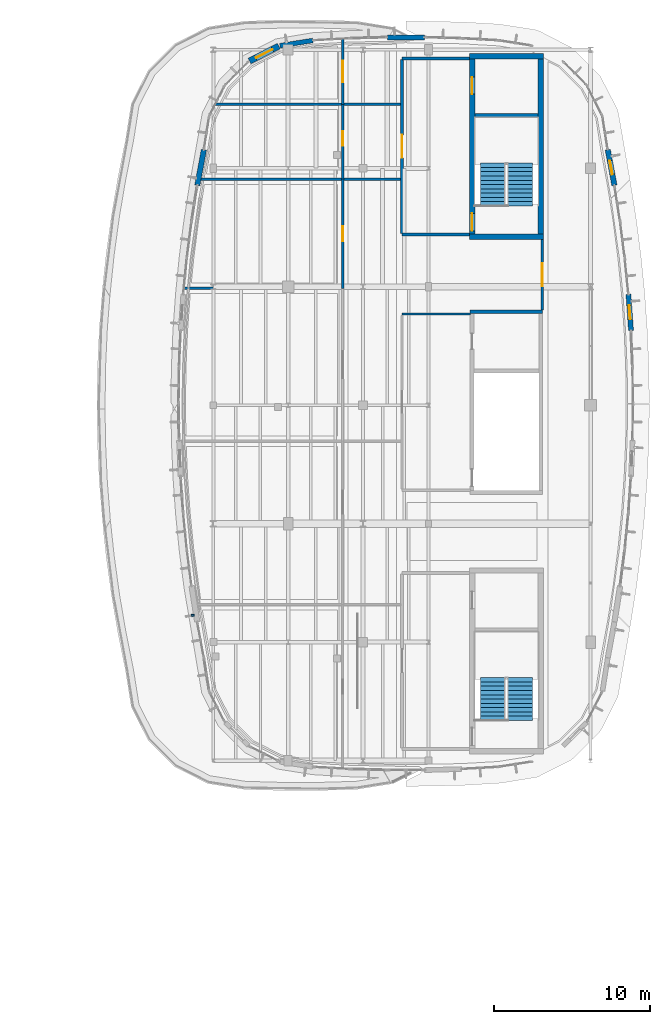
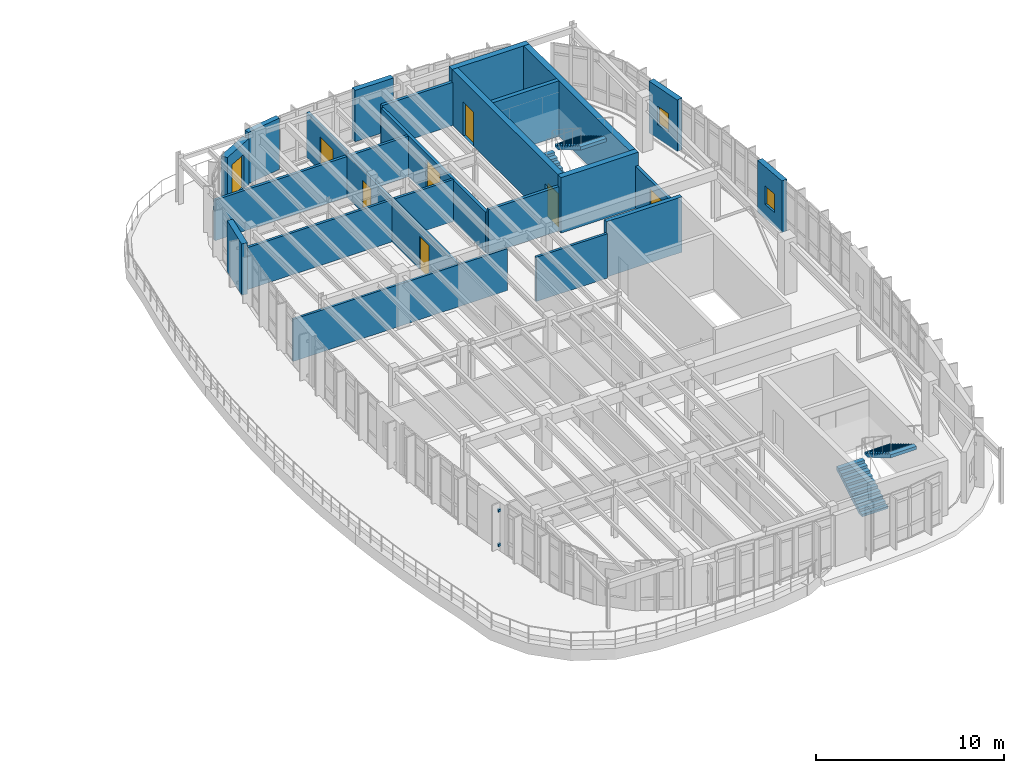
# One storey, part 24 of 30: 23 walls, 8 doors, 4 stair flights, 2 discrete accessories, 2 windows, 10 openings, 2 elements without a shape of their own.
"""IFC4 building model written with IfcOpenShell, lengths in metres."""

from ifc_helpers import new_model, si_unit, direction, frame, frame_2d, origin, origin_2d, place, context, subcontext, project, spatial, polyline, rectangle, outline, extrude, material, layer, layer_set, type_object, element, fill, aggregate, save


model = new_model("IFC4")

# Units and contexts
model_context = context("Model", 3, precision=1e-05, world=origin(), true_north=direction((0.0, 1.0)))
body_context = subcontext(model_context, "Body", "Model", "MODEL_VIEW")
ifc_project = project(units=[si_unit("LENGTHUNIT", "METRE"), si_unit("AREAUNIT", "SQUARE_METRE"), si_unit("VOLUMEUNIT", "CUBIC_METRE"), si_unit("PLANEANGLEUNIT", "RADIAN"), si_unit("MASSUNIT", "GRAM", prefix="KILO")], contexts=[model_context])

# Site, building, storey
site_placement = place(None, origin())
site = spatial("IfcSite", under=ifc_project, at=site_placement, CompositionType="ELEMENT")
building_placement = place(site_placement, origin())
building = spatial("IfcBuilding", under=site, at=building_placement, Name="Corveleigh Park Community Centre", CompositionType="ELEMENT")
storey_placement = place(building_placement, frame((0.0, 0.0, 12.60009765625)))
storey = spatial("IfcBuildingStorey", under=building, at=storey_placement, Name="L03", CompositionType="ELEMENT", Elevation=12.60009765625)

# Wall
ifc_material_1 = material(Name="Precast concrete C40/50", Category="concrete")
ifc_layer_1 = layer(ifc_material_1, 0.300048828125, Name="Precast concrete C40/50", Category="concrete")
ifc_layer_set_1 = layer_set([ifc_layer_1], Name="Precast concrete C40/50")
wall_type_1 = type_object("IfcWallType", Name="WL-EXT-300", PredefinedType="STANDARD", material=ifc_layer_set_1)
wall_1_placement = place(storey_placement, frame((148.47509765625, 104.462890625, 0.0), z_axis=(0.0, 0.0, 1.0), x_axis=(0.987672873908, 0.156532086638, 0.0)))
element("IfcWall", 1, at=wall_1_placement, inside=storey, type_object=wall_type_1, Name="V4 L03 Precast Facade Wall", PredefinedType="STANDARD", context=body_context, shape_type="SweptSolid", body=[
    extrude(rectangle(XDim=2.13525390625, YDim=0.300048828125, at=frame_2d((1.067626953125, 0.0))), origin(), (0.0, 0.0, 1.0), 3.3369140625),
])

# Wall, opening, window
ifc_layer_2 = layer(ifc_material_1, 0.320068359375, Name="Precast concrete C40/50", Category="concrete")
ifc_layer_set_2 = layer_set([ifc_layer_2], Name="Precast concrete C40/50")
wall_type_2 = type_object("IfcWallType", Name="WL-EXT-320", PredefinedType="STANDARD", material=ifc_layer_set_2)
wall_2_placement = place(storey_placement, frame((170.826904296875, 88.513916015625, 0.0), z_axis=(0.0, 0.0, 1.0), x_axis=(0.070545752689, -0.997508544714, 0.0)))
wall_2 = element("IfcWall", 2, at=wall_2_placement, inside=storey, type_object=wall_type_2, Name="V4 L03 Precast Facade Wall", PredefinedType="STANDARD", context=body_context, shape_type="SweptSolid", body=[
    extrude(rectangle(XDim=2.32568359375, YDim=0.320068359375, at=frame_2d((1.162841796875, 0.0))), origin(), (0.0, 0.0, 1.0), 3.35693359375),
])
opening_1_placement = place(wall_2_placement, frame((0.712890625, 0.0, 0.89990234375)))
opening_1 = element("IfcOpeningElement", 3, at=opening_1_placement, cuts=wall_2, Name="Opening W01", PredefinedType="OPENING", context=body_context, shape_type="SweptSolid", body=[
    extrude(rectangle(XDim=0.89990234375, YDim=1.199951171875, at=frame_2d((0.449951171875, 0.60009765625))), frame((0.0, 0.169921875, 0.0), z_axis=(0.0, -1.0, 0.0), x_axis=(1.0, 0.0, 0.0)), (0.0, 0.0, 1.0), 0.340087890625),
])
ifc_material_2 = material(Name="Low-E double glazing", Category="glass")
window_type = type_object("IfcWindowType", Name="WIN-EXT-0900x1200", PartitioningType="SINGLE_PANEL", PredefinedType="WINDOW", material=ifc_material_2)
window_1_placement = place(opening_1_placement, origin())
window_1 = element("IfcWindow", 4, at=window_1_placement, inside=storey, type_object=window_type, Name="V4 L03 Window 72", OverallHeight=1.199951171875, OverallWidth=0.89990234375, PartitioningType="SINGLE_PANEL", PredefinedType="WINDOW", context=body_context, shape_type="SweptSolid", body=[
    extrude(rectangle(XDim=0.89990234375, YDim=1.199951171875, at=frame_2d((0.449951171875, 0.60009765625))), frame((0.0, 0.030029296875, 0.0), z_axis=(0.0, -1.0, 0.0), x_axis=(1.0, 0.0, 0.0)), (0.0, 0.0, 1.0), 0.06005859375),
])
fill(opening_1, window_1)

# Wall
wall_3_placement = place(storey_placement, frame((155.367919921875, 105.0029296875, 0.0), z_axis=(0.0, 0.0, 1.0), x_axis=(1.0, 0.0, 0.0)))
element("IfcWall", 5, at=wall_3_placement, inside=storey, type_object=wall_type_2, Name="V4 L03 Precast Facade Wall", PredefinedType="STANDARD", context=body_context, shape_type="SweptSolid", body=[
    extrude(rectangle(XDim=2.364013671875, YDim=0.320068359375, at=frame_2d((1.18212890625, 0.0))), origin(), (0.0, 0.0, 1.0), 3.3369140625),
])

# Wall, opening, window
ifc_layer_3 = layer(ifc_material_1, 0.340087890625, Name="Precast concrete C40/50", Category="concrete")
ifc_layer_set_3 = layer_set([ifc_layer_3], Name="Precast concrete C40/50")
wall_type_3 = type_object("IfcWallType", Name="WL-EXT-340", PredefinedType="STANDARD", material=ifc_layer_set_3)
wall_4_placement = place(storey_placement, frame((169.501953125, 97.791015625, 0.0), z_axis=(0.0, 0.0, 1.0), x_axis=(0.183198166271, -0.983076005136, 0.0)))
wall_4 = element("IfcWall", 6, at=wall_4_placement, inside=storey, type_object=wall_type_3, Name="V4 L03 Precast Facade Wall", PredefinedType="STANDARD", context=body_context, shape_type="SweptSolid", body=[
    extrude(rectangle(XDim=2.325439453125, YDim=0.340087890625, at=frame_2d((1.16259765625, 0.0))), origin(), (0.0, 0.0, 1.0), 3.35693359375),
])
opening_2_placement = place(wall_4_placement, frame((0.712890625, 0.0, 0.89990234375)))
opening_2 = element("IfcOpeningElement", 7, at=opening_2_placement, cuts=wall_4, Name="Opening W01", PredefinedType="OPENING", context=body_context, shape_type="SweptSolid", body=[
    extrude(rectangle(XDim=0.89990234375, YDim=1.199951171875, at=frame_2d((0.449951171875, 0.60009765625))), frame((0.0, 0.179931640625, 0.0), z_axis=(0.0, -1.0, 0.0), x_axis=(1.0, 0.0, 0.0)), (0.0, 0.0, 1.0), 0.360107421875),
])
window_2_placement = place(opening_2_placement, origin())
window_2 = element("IfcWindow", 8, at=window_2_placement, inside=storey, type_object=window_type, Name="V4 L03 Window 73", OverallHeight=1.199951171875, OverallWidth=0.89990234375, PartitioningType="SINGLE_PANEL", PredefinedType="WINDOW", context=body_context, shape_type="SweptSolid", body=[
    extrude(rectangle(XDim=0.89990234375, YDim=1.199951171875, at=frame_2d((0.449951171875, 0.60009765625))), frame((0.0, 0.030029296875, 0.0), z_axis=(0.0, -1.0, 0.0), x_axis=(1.0, 0.0, 0.0)), (0.0, 0.0, 1.0), 0.06005859375),
])
fill(opening_2, window_2)

# Wall
wall_5_placement = place(storey_placement, frame((143.172119140625, 95.5048828125, 0.0), z_axis=(0.0, 0.0, 1.0), x_axis=(0.183096702171, 0.983094907755, 0.0)))
element("IfcWall", 9, at=wall_5_placement, inside=storey, type_object=wall_type_3, Name="V4 L03 Precast Facade Wall", PredefinedType="STANDARD", context=body_context, shape_type="SweptSolid", body=[
    extrude(rectangle(XDim=2.325439453125, YDim=0.340087890625, at=frame_2d((1.16259765625, 0.0))), origin(), (0.0, 0.0, 1.0), 3.3369140625),
])

# Wall, opening, door
ifc_material_3 = material(Name="Concrete C40/50", Category="concrete")
ifc_layer_4 = layer(ifc_material_3, 0.39990234375, Name="Concrete C40/50", Category="concrete")
ifc_layer_set_4 = layer_set([ifc_layer_4], Name="Concrete C40/50")
wall_type_4 = type_object("IfcWallType", Name="WL-EXT-400", PredefinedType="STANDARD", material=ifc_layer_set_4)
wall_6_placement = place(storey_placement, frame((146.52001953125, 103.47998046875, 0.0), z_axis=(0.0, 0.0, 1.0), x_axis=(0.89091164553, 0.454176661509, 0.0)))
wall_6 = element("IfcWall", 10, at=wall_6_placement, inside=storey, type_object=wall_type_4, Name="V4 terrace wall", PredefinedType="STANDARD", context=body_context, shape_type="SweptSolid", body=[
    extrude(rectangle(XDim=2.113525390625, YDim=0.39990234375, at=frame_2d((1.056640625, 0.0))), origin(), (0.0, 0.0, 1.0), 2.969970703125),
])
opening_3_placement = place(wall_6_placement, frame((0.467041015625, 0.0, 0.0)))
opening_3 = element("IfcOpeningElement", 11, at=opening_3_placement, cuts=wall_6, Name="Opening ED02", PredefinedType="OPENING", context=body_context, shape_type="SweptSolid", body=[
    extrude(rectangle(XDim=1.179931640625, YDim=2.239990234375, at=frame_2d((0.58984375, 1.1201171875))), frame((0.0, 0.2099609375, 0.0), z_axis=(0.0, -1.0, 0.0), x_axis=(1.0, 0.0, 0.0)), (0.0, 0.0, 1.0), 0.419921875),
])
ifc_material_4 = material(Name="Powder-coated aluminium glazed door", Category="aluminium")
door_type_1 = type_object("IfcDoorType", Name="DR-EXT-1180x2240", OperationType="NOTDEFINED", PredefinedType="DOOR", material=ifc_material_4)
door_1_placement = place(opening_3_placement, origin())
door_1 = element("IfcDoor", 12, at=door_1_placement, inside=storey, type_object=door_type_1, Name="Step 3 Craft and Study Terrace access door", OperationType="SINGLE_SWING_RIGHT", OverallHeight=2.239990234375, OverallWidth=1.179931640625, PredefinedType="DOOR", context=body_context, shape_type="SweptSolid", body=[
    extrude(rectangle(XDim=1.179931640625, YDim=2.239990234375, at=frame_2d((0.58984375, 1.1201171875))), frame((0.0, 0.02490234375, 0.0), z_axis=(0.0, -1.0, 0.0), x_axis=(1.0, 0.0, 0.0)), (0.0, 0.0, 1.0), 0.050048828125),
])
fill(opening_3, door_1)

ifc_material_5 = material(Name="Gypsum acoustic stud partition", Category="gypsum")
ifc_layer_5 = layer(ifc_material_5, 0.139892578125, Name="Gypsum acoustic stud partition", Category="gypsum")
ifc_layer_set_5 = layer_set([ifc_layer_5], Name="Gypsum acoustic stud partition")
wall_type_5 = type_object("IfcWallType", Name="WL-PRT-140", PredefinedType="PARTITIONING", material=ifc_layer_set_5)
wall_7_placement = place(storey_placement, frame((152.5, 95.89990234375, 0.0), z_axis=(0.0, 0.0, 1.0), x_axis=(0.0, -1.0, 0.0)))
wall_7 = element("IfcWall", 13, at=wall_7_placement, inside=storey, type_object=wall_type_5, Name="Repair Cafe Workshop corridor wall", PredefinedType="PARTITIONING", context=body_context, shape_type="SweptSolid", body=[
    extrude(rectangle(XDim=7.0, YDim=0.139892578125, at=frame_2d((3.5, 0.0))), origin(), (0.0, 0.0, 1.0), 2.794921875),
])
opening_4_placement = place(wall_7_placement, frame((3.010009765625, 0.0, 0.0)))
opening_4 = element("IfcOpeningElement", 14, at=opening_4_placement, cuts=wall_7, Name="Opening FD06", PredefinedType="OPENING", context=body_context, shape_type="SweptSolid", body=[
    extrude(rectangle(XDim=0.97998046875, YDim=2.1201171875, at=frame_2d((0.489990234375, 1.06005859375))), frame((0.0, 0.079833984375, 0.0), z_axis=(0.0, -1.0, 0.0), x_axis=(1.0, 0.0, 0.0)), (0.0, 0.0, 1.0), 0.159912109375),
])
ifc_material_6 = material(Name="Hardwood acoustic door leaf", Category="wood")
door_type_2 = type_object("IfcDoorType", Name="DR-FIR-0980x2120", OperationType="NOTDEFINED", PredefinedType="DOOR", material=ifc_material_6)
door_2_placement = place(opening_4_placement, origin())
door_2 = element("IfcDoor", 15, at=door_2_placement, inside=storey, type_object=door_type_2, Name="Repair Cafe Workshop door", OperationType="SINGLE_SWING_RIGHT", OverallHeight=2.1201171875, OverallWidth=0.97998046875, PredefinedType="DOOR", context=body_context, shape_type="SweptSolid", body=[
    extrude(rectangle(XDim=0.97998046875, YDim=2.1201171875, at=frame_2d((0.489990234375, 1.06005859375))), frame((0.0, 0.02490234375, 0.0), z_axis=(0.0, -1.0, 0.0), x_axis=(1.0, 0.0, 0.0)), (0.0, 0.0, 1.0), 0.050048828125),
])
fill(opening_4, door_2)

# Walls
wall_8_placement = place(storey_placement, frame((142.31201171875, 88.89990234375, 0.0), z_axis=(0.0, 0.0, 1.0), x_axis=(1.0, 0.0, 0.0)))
element("IfcWall", 16, at=wall_8_placement, inside=storey, type_object=wall_type_5, Name="Textiles and Sewing Classroom partition", PredefinedType="PARTITIONING", context=body_context, shape_type="SweptSolid", body=[
    extrude(rectangle(XDim=13.18798828125, YDim=0.139892578125, at=frame_2d((6.593994140625, 0.0))), origin(), (0.0, 0.0, 1.0), 2.73291015625),
])
ifc_layer_6 = layer(ifc_material_5, 0.14990234375, Name="Gypsum acoustic stud partition", Category="gypsum")
ifc_layer_set_6 = layer_set([ifc_layer_6], Name="Gypsum acoustic stud partition")
wall_type_6 = type_object("IfcWallType", Name="WL-PRT-150", PredefinedType="PARTITIONING", material=ifc_layer_set_6)
wall_9_placement = place(storey_placement, frame((160.68994140625, 87.25, 0.0), z_axis=(0.0, 0.0, 1.0), x_axis=(-1.0, 0.0, 0.0)))
element("IfcWall", 17, at=wall_9_placement, inside=storey, type_object=wall_type_6, Name="CORE6 lobby north wall", PredefinedType="PARTITIONING", context=body_context, shape_type="SweptSolid", body=[
    extrude(rectangle(XDim=4.389892578125, YDim=0.14990234375, at=frame_2d((2.19482421875, 0.0))), origin(), (0.0, 0.0, 1.0), 2.885009765625),
])

# Wall, opening, door
wall_10_placement = place(storey_placement, frame((152.5, 100.699951171875, 0.0), z_axis=(0.0, 0.0, 1.0), x_axis=(0.0, -1.0, 0.0)))
wall_10 = element("IfcWall", 18, at=wall_10_placement, inside=storey, type_object=wall_type_6, Name="Craft Materials Office corridor wall", PredefinedType="PARTITIONING", context=body_context, shape_type="SweptSolid", body=[
    extrude(rectangle(XDim=4.800048828125, YDim=0.14990234375, at=frame_2d((2.39990234375, 0.0))), origin(), (0.0, 0.0, 1.0), 2.73291015625),
])
opening_5_placement = place(wall_10_placement, frame((1.7099609375, 0.0, 0.0)))
opening_5 = element("IfcOpeningElement", 19, at=opening_5_placement, cuts=wall_10, Name="Opening FD09", PredefinedType="OPENING", context=body_context, shape_type="SweptSolid", body=[
    extrude(rectangle(XDim=0.93994140625, YDim=2.10009765625, at=frame_2d((0.469970703125, 1.050048828125))), frame((0.0, 0.0849609375, 0.0), z_axis=(0.0, -1.0, 0.0), x_axis=(1.0, 0.0, 0.0)), (0.0, 0.0, 1.0), 0.169921875),
])
door_type_3 = type_object("IfcDoorType", Name="DR-FIR-0940x2100", OperationType="NOTDEFINED", PredefinedType="DOOR", material=ifc_material_6)
door_3_placement = place(opening_5_placement, origin())
door_3 = element("IfcDoor", 20, at=door_3_placement, inside=storey, type_object=door_type_3, Name="Craft Materials Office door", OperationType="SINGLE_SWING_LEFT", OverallHeight=2.10009765625, OverallWidth=0.93994140625, PredefinedType="DOOR", context=body_context, shape_type="SweptSolid", body=[
    extrude(rectangle(XDim=0.93994140625, YDim=2.10009765625, at=frame_2d((0.469970703125, 1.050048828125))), frame((0.0, 0.02490234375, 0.0), z_axis=(0.0, -1.0, 0.0), x_axis=(1.0, 0.0, 0.0)), (0.0, 0.0, 1.0), 0.050048828125),
])
fill(opening_5, door_3)

# Wall
wall_11_placement = place(storey_placement, frame((143.406005859375, 95.89990234375, 0.0), z_axis=(0.0, 0.0, 1.0), x_axis=(1.0, 0.0, 0.0)))
element("IfcWall", 21, at=wall_11_placement, inside=storey, type_object=wall_type_6, Name="Repair Cafe Workshop partition", PredefinedType="PARTITIONING", context=body_context, shape_type="SweptSolid", body=[
    extrude(rectangle(XDim=12.81591796875, YDim=0.14990234375, at=frame_2d((6.407958984375, 0.0))), origin(), (0.0, 0.0, 1.0), 2.73291015625),
])

# Wall, opening, door
ifc_layer_7 = layer(ifc_material_5, 0.1650390625, Name="Gypsum acoustic stud partition", Category="gypsum")
ifc_layer_set_7 = layer_set([ifc_layer_7], Name="Gypsum acoustic stud partition")
wall_type_7 = type_object("IfcWallType", Name="WL-PRT-165", PredefinedType="PARTITIONING", material=ifc_layer_set_7)
wall_12_placement = place(storey_placement, frame((152.5, 104.906982421875, 0.0), z_axis=(0.0, 0.0, 1.0), x_axis=(0.0, -1.0, 0.0)))
wall_12 = element("IfcWall", 22, at=wall_12_placement, inside=storey, type_object=wall_type_7, Name="Accessible and Public Toilets L03 corridor wall", PredefinedType="PARTITIONING", context=body_context, shape_type="SweptSolid", body=[
    extrude(rectangle(XDim=4.20703125, YDim=0.1650390625, at=frame_2d((2.103515625, 0.0))), origin(), (0.0, 0.0, 1.0), 2.9248046875),
])
opening_6_placement = place(wall_12_placement, frame((1.4130859375, 0.0, 0.0)))
opening_6 = element("IfcOpeningElement", 23, at=opening_6_placement, cuts=wall_12, Name="Opening FD02", PredefinedType="OPENING", context=body_context, shape_type="SweptSolid", body=[
    extrude(rectangle(XDim=1.3798828125, YDim=2.199951171875, at=frame_2d((0.68994140625, 1.10009765625))), frame((0.0, 0.092529296875, 0.0), z_axis=(0.0, -1.0, 0.0), x_axis=(1.0, 0.0, 0.0)), (0.0, 0.0, 1.0), 0.18505859375),
])
door_type_4 = type_object("IfcDoorType", Name="DR-FIR-1380x2200", OperationType="DOUBLE_DOOR_SINGLE_SWING", PredefinedType="DOOR", material=ifc_material_6)
door_4_placement = place(opening_6_placement, origin())
door_4 = element("IfcDoor", 24, at=door_4_placement, inside=storey, type_object=door_type_4, Name="Accessible and Public Toilets L03 door", OperationType="DOUBLE_DOOR_SINGLE_SWING", OverallHeight=2.199951171875, OverallWidth=1.3798828125, PredefinedType="DOOR", context=body_context, shape_type="SweptSolid", body=[
    extrude(rectangle(XDim=1.3798828125, YDim=2.199951171875, at=frame_2d((0.68994140625, 1.10009765625))), frame((0.0, 0.02490234375, 0.0), z_axis=(0.0, -1.0, 0.0), x_axis=(1.0, 0.0, 0.0)), (0.0, 0.0, 1.0), 0.050048828125),
])
fill(opening_6, door_4)

# Walls
wall_13_placement = place(storey_placement, frame((144.318115234375, 100.699951171875, 0.0), z_axis=(0.0, 0.0, 1.0), x_axis=(1.0, 0.0, 0.0)))
element("IfcWall", 25, at=wall_13_placement, inside=storey, type_object=wall_type_7, Name="Craft Materials Office partition", PredefinedType="PARTITIONING", context=body_context, shape_type="SweptSolid", body=[
    extrude(rectangle(XDim=11.90380859375, YDim=0.1650390625, at=frame_2d((5.951904296875, 0.0))), origin(), (0.0, 0.0, 1.0), 2.641845703125),
])
ifc_layer_8 = layer(ifc_material_5, 0.179931640625, Name="Gypsum acoustic stud partition", Category="gypsum")
ifc_layer_set_8 = layer_set([ifc_layer_8], Name="Gypsum acoustic stud partition")
wall_type_8 = type_object("IfcWallType", Name="WL-PRT-180", PredefinedType="PARTITIONING", material=ifc_layer_set_8)
wall_14_placement = place(storey_placement, frame((156.300048828125, 92.35009765625, 0.0), z_axis=(0.0, 0.0, 1.0), x_axis=(1.0, 0.0, 0.0)))
element("IfcWall", 26, at=wall_14_placement, inside=storey, type_object=wall_type_8, Name="CORE2 lobby south wall", PredefinedType="PARTITIONING", context=body_context, shape_type="SweptSolid", body=[
    extrude(rectangle(XDim=4.33984375, YDim=0.179931640625, at=frame_2d((2.169921875, 0.0))), origin(), (0.0, 0.0, 1.0), 2.8818359375),
])
wall_15_placement = place(storey_placement, frame((160.639892578125, 103.64990234375, 0.0), z_axis=(0.0, 0.0, 1.0), x_axis=(-1.0, 0.0, 0.0)))
element("IfcWall", 27, at=wall_15_placement, inside=storey, type_object=wall_type_8, Name="CORE2 lobby north wall", PredefinedType="PARTITIONING", context=body_context, shape_type="SweptSolid", body=[
    extrude(rectangle(XDim=4.33984375, YDim=0.179931640625, at=frame_2d((2.169921875, 0.0))), origin(), (0.0, 0.0, 1.0), 2.81201171875),
])

# Wall, opening, door
wall_16_placement = place(storey_placement, frame((156.300048828125, 103.570068359375, 0.0), z_axis=(0.0, 0.0, 1.0), x_axis=(0.0, -1.0, 0.0)))
wall_16 = element("IfcWall", 28, at=wall_16_placement, inside=storey, type_object=wall_type_8, Name="CORE2 lobby corridor wall", PredefinedType="PARTITIONING", context=body_context, shape_type="SweptSolid", body=[
    extrude(rectangle(XDim=11.14013671875, YDim=0.179931640625, at=frame_2d((5.570068359375, 0.0))), origin(), (0.0, 0.0, 1.0), 2.661865234375),
])
opening_7_placement = place(wall_16_placement, frame((4.830078125, 0.0, 0.0)))
opening_7 = element("IfcOpeningElement", 29, at=opening_7_placement, cuts=wall_16, Name="Opening FD01", PredefinedType="OPENING", context=body_context, shape_type="SweptSolid", body=[
    extrude(rectangle(XDim=1.47998046875, YDim=2.219970703125, at=frame_2d((0.739990234375, 1.10986328125))), frame((0.0, 0.099853515625, 0.0), z_axis=(0.0, -1.0, 0.0), x_axis=(1.0, 0.0, 0.0)), (0.0, 0.0, 1.0), 0.199951171875),
])
door_type_5 = type_object("IfcDoorType", Name="DR-FIR-1480x2220", OperationType="DOUBLE_DOOR_SINGLE_SWING", PredefinedType="DOOR", material=ifc_material_6)
door_5_placement = place(opening_7_placement, origin())
door_5 = element("IfcDoor", 30, at=door_5_placement, inside=storey, type_object=door_type_5, Name="Lobby CORE2 corridor door L03", OperationType="DOUBLE_DOOR_SINGLE_SWING", OverallHeight=2.219970703125, OverallWidth=1.47998046875, PredefinedType="DOOR", context=body_context, shape_type="SweptSolid", body=[
    extrude(rectangle(XDim=1.47998046875, YDim=2.219970703125, at=frame_2d((0.739990234375, 1.10986328125))), frame((0.0, 0.02490234375, 0.0), z_axis=(0.0, -1.0, 0.0), x_axis=(1.0, 0.0, 0.0)), (0.0, 0.0, 1.0), 0.050048828125),
])
fill(opening_7, door_5)

wall_17_placement = place(storey_placement, frame((165.300048828125, 87.512939453125, 0.0), z_axis=(0.0, 0.0, 1.0), x_axis=(0.0, 1.0, 0.0)))
wall_17 = element("IfcWall", 31, at=wall_17_placement, inside=storey, type_object=wall_type_8, Name="Parkside Craft Exhibition Gallery corridor wall", PredefinedType="PARTITIONING", context=body_context, shape_type="SweptSolid", body=[
    extrude(rectangle(XDim=4.524169921875, YDim=0.179931640625, at=frame_2d((2.26220703125, 0.0))), origin(), (0.0, 0.0, 1.0), 2.744873046875),
])
opening_8_placement = place(wall_17_placement, frame((1.52197265625, 0.0, 0.0)))
opening_8 = element("IfcOpeningElement", 32, at=opening_8_placement, cuts=wall_17, Name="Opening FD01", PredefinedType="OPENING", context=body_context, shape_type="SweptSolid", body=[
    extrude(rectangle(XDim=1.47998046875, YDim=2.219970703125, at=frame_2d((0.739990234375, 1.10986328125))), frame((0.0, 0.099853515625, 0.0), z_axis=(0.0, -1.0, 0.0), x_axis=(1.0, 0.0, 0.0)), (0.0, 0.0, 1.0), 0.199951171875),
])
door_6_placement = place(opening_8_placement, origin())
door_6 = element("IfcDoor", 33, at=door_6_placement, inside=storey, type_object=door_type_5, Name="Parkside Craft Exhibition Gallery door", OperationType="DOUBLE_DOOR_SINGLE_SWING", OverallHeight=2.219970703125, OverallWidth=1.47998046875, PredefinedType="DOOR", context=body_context, shape_type="SweptSolid", body=[
    extrude(rectangle(XDim=1.47998046875, YDim=2.219970703125, at=frame_2d((0.739990234375, 1.10986328125))), frame((0.0, 0.02490234375, 0.0), z_axis=(0.0, -1.0, 0.0), x_axis=(1.0, 0.0, 0.0)), (0.0, 0.0, 1.0), 0.050048828125),
])
fill(opening_8, door_6)

# Walls
ifc_layer_9 = layer(ifc_material_3, 0.25, Name="Concrete C40/50", Category="concrete")
ifc_layer_set_9 = layer_set([ifc_layer_9], Name="Concrete C40/50")
wall_type_9 = type_object("IfcWallType", Name="WL-SHR-250", PredefinedType="SHEAR", material=ifc_layer_set_9)
wall_18_placement = place(storey_placement, frame((160.97509765625, 100.0, 0.0), z_axis=(0.0, 0.0, 1.0), x_axis=(1.0, 0.0, 0.0)))
element("IfcWall", 34, at=wall_18_placement, inside=storey, type_object=wall_type_9, Name="CORE2 shaft wall", PredefinedType="SHEAR", context=body_context, shape_type="SweptSolid", body=[
    extrude(rectangle(XDim=4.0498046875, YDim=0.25, at=frame_2d((2.02490234375, 0.0))), origin(), (0.0, 0.0, 1.0), 3.599853515625),
])
wall_19_placement = place(storey_placement, frame((165.324951171875, 87.39990234375, 0.0), z_axis=(0.0, 0.0, 1.0), x_axis=(-1.0, 0.0, 0.0)))
element("IfcWall", 35, at=wall_19_placement, inside=storey, type_object=wall_type_9, Name="CORE6 north shear wall", PredefinedType="SHEAR", context=body_context, shape_type="SweptSolid", body=[
    extrude(rectangle(XDim=4.64990234375, YDim=0.25, at=frame_2d((2.324951171875, 0.0))), origin(), (0.0, 0.0, 1.0), 3.599853515625),
])
ifc_layer_10 = layer(ifc_material_3, 0.35009765625, Name="Concrete C40/50", Category="concrete")
ifc_layer_set_10 = layer_set([ifc_layer_10], Name="Concrete C40/50")
wall_type_10 = type_object("IfcWallType", Name="WL-SHR-350", PredefinedType="SHEAR", material=ifc_layer_set_10)
wall_20_placement = place(storey_placement, frame((160.625, 92.199951171875, 0.0), z_axis=(0.0, 0.0, 1.0), x_axis=(1.0, 0.0, 0.0)))
element("IfcWall", 36, at=wall_20_placement, inside=storey, type_object=wall_type_10, Name="CORE2 south shear wall", PredefinedType="SHEAR", context=body_context, shape_type="SweptSolid", body=[
    extrude(rectangle(XDim=4.75, YDim=0.35009765625, at=frame_2d((2.375, 0.0))), origin(), (0.0, 0.0, 1.0), 3.599853515625),
])
wall_21_placement = place(storey_placement, frame((165.199951171875, 92.375, 0.0), z_axis=(0.0, 0.0, 1.0), x_axis=(0.0, 1.0, 0.0)))
element("IfcWall", 37, at=wall_21_placement, inside=storey, type_object=wall_type_10, Name="CORE2 east shear wall", PredefinedType="SHEAR", context=body_context, shape_type="SweptSolid", body=[
    extrude(rectangle(XDim=11.25, YDim=0.35009765625, at=frame_2d((5.625, 0.0))), origin(), (0.0, 0.0, 1.0), 3.599853515625),
])
wall_22_placement = place(storey_placement, frame((165.375, 103.800048828125, 0.0), z_axis=(0.0, 0.0, 1.0), x_axis=(-1.0, 0.0, 0.0)))
element("IfcWall", 38, at=wall_22_placement, inside=storey, type_object=wall_type_10, Name="CORE2 north shear wall", PredefinedType="SHEAR", context=body_context, shape_type="SweptSolid", body=[
    extrude(rectangle(XDim=4.75, YDim=0.35009765625, at=frame_2d((2.375, 0.0))), origin(), (0.0, 0.0, 1.0), 3.599853515625),
])

# Wall, openings, doors
wall_23_placement = place(storey_placement, frame((160.800048828125, 103.625, 0.0), z_axis=(0.0, 0.0, 1.0), x_axis=(0.0, -1.0, 0.0)))
wall_23 = element("IfcWall", 39, at=wall_23_placement, inside=storey, type_object=wall_type_10, Name="CORE2 west lobby wall", PredefinedType="SHEAR", context=body_context, shape_type="SweptSolid", body=[
    extrude(rectangle(XDim=11.25, YDim=0.35009765625, at=frame_2d((5.625, 0.0))), origin(), (0.0, 0.0, 1.0), 3.599853515625),
])
opening_9_placement = place(wall_23_placement, frame((1.175048828125, 0.0, 0.0)))
opening_9 = element("IfcOpeningElement", 40, at=opening_9_placement, cuts=wall_23, Name="Opening LD01", PredefinedType="OPENING", context=body_context, shape_type="SweptSolid", body=[
    extrude(rectangle(XDim=1.10009765625, YDim=2.199951171875, at=frame_2d((0.550048828125, 1.10009765625))), frame((0.0, 0.18505859375, 0.0), z_axis=(0.0, -1.0, 0.0), x_axis=(1.0, 0.0, 0.0)), (0.0, 0.0, 1.0), 0.3701171875),
])
opening_10_placement = place(wall_23_placement, frame((9.9150390625, 0.0, 0.0)))
opening_10 = element("IfcOpeningElement", 41, at=opening_10_placement, cuts=wall_23, Name="Opening FD03", PredefinedType="OPENING", context=body_context, shape_type="SweptSolid", body=[
    extrude(rectangle(XDim=1.1201171875, YDim=2.159912109375, at=frame_2d((0.56005859375, 1.080078125))), frame((0.0, 0.18505859375, 0.0), z_axis=(0.0, -1.0, 0.0), x_axis=(1.0, 0.0, 0.0)), (0.0, 0.0, 1.0), 0.3701171875),
])
door_type_6 = type_object("IfcDoorType", Name="DR-FIR-1120x2160", OperationType="NOTDEFINED", PredefinedType="DOOR", material=ifc_material_6)
door_7_placement = place(opening_10_placement, origin())
door_7 = element("IfcDoor", 42, at=door_7_placement, inside=storey, type_object=door_type_6, Name="Stair ST2 fire door L03", OperationType="SINGLE_SWING_LEFT", OverallHeight=2.159912109375, OverallWidth=1.1201171875, PredefinedType="DOOR", context=body_context, shape_type="SweptSolid", body=[
    extrude(rectangle(XDim=1.1201171875, YDim=2.159912109375, at=frame_2d((0.56005859375, 1.080078125))), frame((0.0, 0.02490234375, 0.0), z_axis=(0.0, -1.0, 0.0), x_axis=(1.0, 0.0, 0.0)), (0.0, 0.0, 1.0), 0.050048828125),
])
fill(opening_10, door_7)
ifc_material_7 = material(Name="Brushed stainless steel lift car", Category="steel")
door_type_7 = type_object("IfcDoorType", Name="DR-LFT-1100x2200", OperationType="DOUBLE_DOOR_SLIDING", PredefinedType="DOOR", material=ifc_material_7)
door_8_placement = place(opening_9_placement, origin())
door_8 = element("IfcDoor", 43, at=door_8_placement, inside=storey, type_object=door_type_7, Name="Lift FL2 landing door L03", OperationType="DOUBLE_DOOR_SLIDING", OverallHeight=2.199951171875, OverallWidth=1.10009765625, PredefinedType="DOOR", context=body_context, shape_type="SweptSolid", body=[
    extrude(rectangle(XDim=1.10009765625, YDim=2.199951171875, at=frame_2d((0.550048828125, 1.10009765625))), frame((0.0, 0.02490234375, 0.0), z_axis=(0.0, -1.0, 0.0), x_axis=(1.0, 0.0, 0.0)), (0.0, 0.0, 1.0), 0.050048828125),
])
fill(opening_9, door_8)

# Stair, stair flights
ifc_material_8 = material(Name="Concrete C32/40", Category="concrete")
stair_type = type_object("IfcStairType", Name="STR-HT-1600-360", PredefinedType="USERDEFINED", material=ifc_material_8)
stair_1_placement = place(storey_placement, origin())
stair_1 = element("IfcStair", 44, at=stair_1_placement, inside=storey, type_object=stair_type, Name="Protected escape stair ST1 (L03 to L04)", ObjectType="TWO_RETURN_STAIR", PredefinedType="USERDEFINED")
ifc_layer_11 = layer(ifc_material_8, 0.179931640625, Name="Concrete C32/40", Category="concrete")
ifc_layer_set_11 = layer_set([ifc_layer_11], Name="Concrete C32/40")
stair_flight_type = type_object("IfcStairFlightType", Name="FLG-RC-1600", PredefinedType="STRAIGHT", material=ifc_layer_set_11)
stair_flight_1_placement = place(storey_placement, frame((162.1298828125, 61.179931640625, 0.0), z_axis=(0.0, 0.0, 1.0), x_axis=(0.0, 1.0, 0.0)))
stair_flight_1 = element("IfcStairFlight", 45, at=stair_flight_1_placement, type_object=stair_flight_type, Name="ST1 flight 1", NumberOfRisers=11, NumberOfTreads=10, PredefinedType="STRAIGHT", RiserHeight=0.16364, TreadLength=0.275, context=body_context, shape_type="SweptSolid", body=[
    extrude(outline(polyline([(0.0, 0.0), (0.0, 0.16357421875), (0.27490234375, 0.16357421875), (0.27490234375, 0.327392578125), (0.550048828125, 0.327392578125), (0.550048828125, 0.490966796875), (0.824951171875, 0.490966796875), (0.824951171875, 0.654541015625), (1.10009765625, 0.654541015625), (1.10009765625, 0.818115234375), (1.375, 0.818115234375), (1.375, 0.98193359375), (1.64990234375, 0.98193359375), (1.64990234375, 1.1455078125), (1.925048828125, 1.1455078125), (1.925048828125, 1.30908203125), (2.199951171875, 1.30908203125), (2.199951171875, 1.47265625), (2.47509765625, 1.47265625), (2.47509765625, 1.636474609375), (2.75, 1.636474609375), (2.75, 1.800048828125), (2.75, 1.427001953125), (0.351806640625, 0.0), (0.0, 0.0)])), frame((0.0, 0.800048828125, 0.0), z_axis=(0.0, -1.0, 0.0), x_axis=(1.0, 0.0, 0.0)), (0.0, 0.0, 1.0), 1.60009765625),
])
stair_flight_2_placement = place(storey_placement, frame((163.8701171875, 63.929931640625, 1.7998046875), z_axis=(0.0, 0.0, 1.0), x_axis=(0.0, -1.0, 0.0)))
stair_flight_2 = element("IfcStairFlight", 46, at=stair_flight_2_placement, type_object=stair_flight_type, Name="ST1 flight 2", NumberOfRisers=11, NumberOfTreads=10, PredefinedType="STRAIGHT", RiserHeight=0.16364, TreadLength=0.275, context=body_context, shape_type="SweptSolid", body=[
    extrude(outline(polyline([(0.0, 0.0), (0.0, 0.16357421875), (0.27490234375, 0.16357421875), (0.27490234375, 0.327392578125), (0.550048828125, 0.327392578125), (0.550048828125, 0.490966796875), (0.824951171875, 0.490966796875), (0.824951171875, 0.654541015625), (1.10009765625, 0.654541015625), (1.10009765625, 0.818115234375), (1.375, 0.818115234375), (1.375, 0.98193359375), (1.64990234375, 0.98193359375), (1.64990234375, 1.1455078125), (1.925048828125, 1.1455078125), (1.925048828125, 1.30908203125), (2.199951171875, 1.30908203125), (2.199951171875, 1.47265625), (2.47509765625, 1.47265625), (2.47509765625, 1.636474609375), (2.75, 1.636474609375), (2.75, 1.800048828125), (2.75, 1.427001953125), (0.351806640625, 0.0), (0.0, 0.0)])), frame((0.0, 0.800048828125, 0.0), z_axis=(0.0, -1.0, 0.0), x_axis=(1.0, 0.0, 0.0)), (0.0, 0.0, 1.0), 1.60009765625),
])
aggregate(stair_1, [stair_flight_1, stair_flight_2])

stair_2_placement = place(storey_placement, origin())
stair_2 = element("IfcStair", 47, at=stair_2_placement, inside=storey, type_object=stair_type, Name="Protected escape stair ST2 (L03 to L04)", ObjectType="TWO_RETURN_STAIR", PredefinedType="USERDEFINED")
stair_flight_3_placement = place(storey_placement, frame((162.1298828125, 94.179931640625, 0.0), z_axis=(0.0, 0.0, 1.0), x_axis=(0.0, 1.0, 0.0)))
stair_flight_3 = element("IfcStairFlight", 48, at=stair_flight_3_placement, type_object=stair_flight_type, Name="ST2 flight 1", NumberOfRisers=11, NumberOfTreads=10, PredefinedType="STRAIGHT", RiserHeight=0.16364, TreadLength=0.275, context=body_context, shape_type="SweptSolid", body=[
    extrude(outline(polyline([(0.0, 0.0), (0.0, 0.16357421875), (0.27490234375, 0.16357421875), (0.27490234375, 0.327392578125), (0.550048828125, 0.327392578125), (0.550048828125, 0.490966796875), (0.824951171875, 0.490966796875), (0.824951171875, 0.654541015625), (1.10009765625, 0.654541015625), (1.10009765625, 0.818115234375), (1.375, 0.818115234375), (1.375, 0.98193359375), (1.64990234375, 0.98193359375), (1.64990234375, 1.1455078125), (1.925048828125, 1.1455078125), (1.925048828125, 1.30908203125), (2.199951171875, 1.30908203125), (2.199951171875, 1.47265625), (2.47509765625, 1.47265625), (2.47509765625, 1.636474609375), (2.75, 1.636474609375), (2.75, 1.800048828125), (2.75, 1.427001953125), (0.351806640625, 0.0), (0.0, 0.0)])), frame((0.0, 0.800048828125, 0.0), z_axis=(0.0, -1.0, 0.0), x_axis=(1.0, 0.0, 0.0)), (0.0, 0.0, 1.0), 1.60009765625),
])
stair_flight_4_placement = place(storey_placement, frame((163.8701171875, 96.929931640625, 1.7998046875), z_axis=(0.0, 0.0, 1.0), x_axis=(0.0, -1.0, 0.0)))
stair_flight_4 = element("IfcStairFlight", 49, at=stair_flight_4_placement, type_object=stair_flight_type, Name="ST2 flight 2", NumberOfRisers=11, NumberOfTreads=10, PredefinedType="STRAIGHT", RiserHeight=0.16364, TreadLength=0.275, context=body_context, shape_type="SweptSolid", body=[
    extrude(outline(polyline([(0.0, 0.0), (0.0, 0.16357421875), (0.27490234375, 0.16357421875), (0.27490234375, 0.327392578125), (0.550048828125, 0.327392578125), (0.550048828125, 0.490966796875), (0.824951171875, 0.490966796875), (0.824951171875, 0.654541015625), (1.10009765625, 0.654541015625), (1.10009765625, 0.818115234375), (1.375, 0.818115234375), (1.375, 0.98193359375), (1.64990234375, 0.98193359375), (1.64990234375, 1.1455078125), (1.925048828125, 1.1455078125), (1.925048828125, 1.30908203125), (2.199951171875, 1.30908203125), (2.199951171875, 1.47265625), (2.47509765625, 1.47265625), (2.47509765625, 1.636474609375), (2.75, 1.636474609375), (2.75, 1.800048828125), (2.75, 1.427001953125), (0.351806640625, 0.0), (0.0, 0.0)])), frame((0.0, 0.800048828125, 0.0), z_axis=(0.0, -1.0, 0.0), x_axis=(1.0, 0.0, 0.0)), (0.0, 0.0, 1.0), 1.60009765625),
])
aggregate(stair_2, [stair_flight_3, stair_flight_4])

# Discrete accessories
ifc_material_9 = material(Name="Stainless steel 316 balustrade", Category="steel")
discrete_accessory_type = type_object("IfcDiscreteAccessoryType", Name="ACC-BRK-STL", PredefinedType="BRACKET", material=ifc_material_9)
for number, where, z_axis, x_axis, name in (
    (50, (142.89111328125, 67.925048828125, 0.5), (0.0, 0.0, 1.0), (-0.987742036845, -0.156095062857, 0.0), "Fin fixing bracket lower"),
    (51, (142.89111328125, 67.925048828125, 2.737060546875), (0.0, 0.0, 1.0), (-0.987742036845, -0.156095062857, 0.0), "Fin fixing bracket upper"),
):
    element("IfcDiscreteAccessory", number, at=place(storey_placement, frame(where, z_axis=z_axis, x_axis=x_axis)), inside=storey, type_object=discrete_accessory_type, Name=name, PredefinedType="BRACKET", context=body_context, shape_type="SweptSolid", body=[
        extrude(rectangle(XDim=0.179931640625, YDim=0.139892578125, at=origin_2d()), origin(), (0.0, 0.0, 1.0), 0.169921875),
    ])

save(model, "model.ifc")
